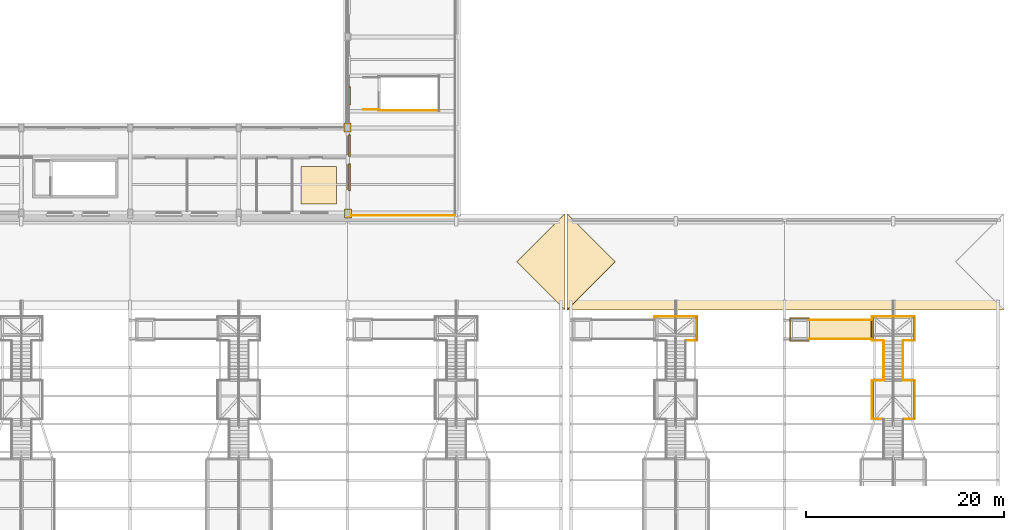
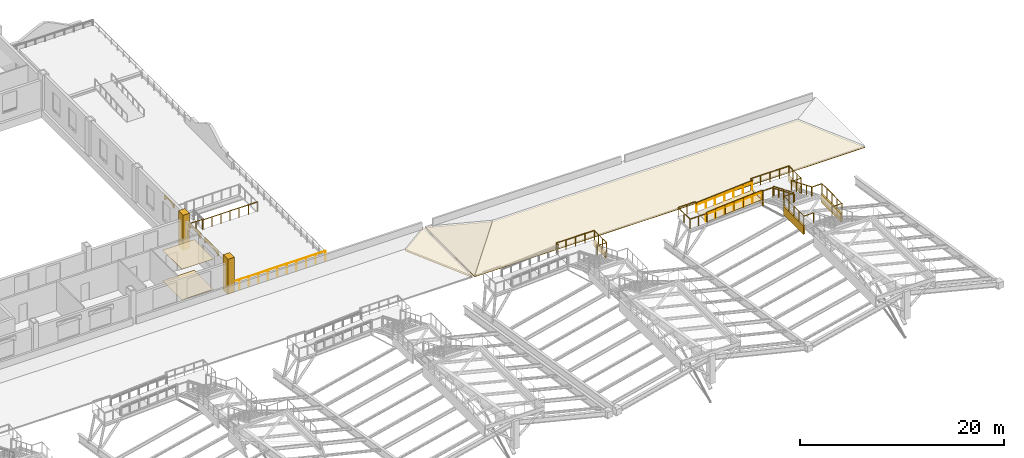
# One storey, part 39 of 43: 16 coverings, 16 railings.
"""IFC4 building model written with IfcOpenShell, lengths in metres."""

from ifc_helpers import new_model, si_unit, direction, frame, frame_2d, origin, origin_2d, place, context, subcontext, project, spatial, polyline, rectangle, circle, outline, extrude, material, layer, layer_set, type_object, element, save


model = new_model("IFC4")

# Units and contexts
model_context = context("Model", 3, precision=1e-05, world=origin(), true_north=direction((0.0, 1.0)))
body_context = subcontext(model_context, "Body", "Model", "MODEL_VIEW")
ifc_project = project(units=[si_unit("LENGTHUNIT", "METRE"), si_unit("AREAUNIT", "SQUARE_METRE"), si_unit("VOLUMEUNIT", "CUBIC_METRE"), si_unit("PLANEANGLEUNIT", "RADIAN"), si_unit("MASSUNIT", "GRAM", prefix="KILO")], contexts=[model_context])

# Site, building, storey
site_placement = place(None, origin())
site = spatial("IfcSite", under=ifc_project, at=site_placement, CompositionType="ELEMENT")
building_placement = place(site_placement, origin())
building = spatial("IfcBuilding", under=site, at=building_placement, Name="Caurita Quay Ferry Terminal", CompositionType="ELEMENT")
storey_placement = place(building_placement, frame((0.0, 0.0, 14.10009765625)))
storey = spatial("IfcBuildingStorey", under=building, at=storey_placement, Name="L03", CompositionType="ELEMENT", Elevation=14.10009765625)

# Coverings
ifc_material_1 = material(Name="Warm-white lime stucco masonry", Category="masonry")
ifc_layer_1 = layer(ifc_material_1, 0.360107421875, Name="Spanish Colonial semicircular lime-stucco portales arcade 360 mm")
ifc_layer_set_1 = layer_set([ifc_layer_1], Name="Warm-white lime stucco masonry")
covering_type_1 = type_object("IfcCoveringType", Name="COV-ARC-CLD", PredefinedType="CLADDING", material=ifc_layer_set_1)
covering_1_placement = place(storey_placement, frame((101.320068359375, 58.699951171875, -0.550048828125), z_axis=(0.0, 0.0, 1.0), x_axis=(0.0, 1.0, 0.0)))
element("IfcCovering", 1, at=covering_1_placement, inside=storey, type_object=covering_type_1, Name="Folded Roof Bay 5 Lookout Stucco Skirt 07", PredefinedType="CLADDING", context=body_context, shape_type="SweptSolid", body=[
    extrude(rectangle(XDim=2.400146484375, YDim=0.179931640625, at=frame_2d((1.2001953125, 0.0))), origin(), (0.0, 0.0, 1.0), 0.6298828125),
])
for number, where, z_axis, x_axis, name in (
    (2, (119.080078125, 54.64990234375, 0.849853515625), (0.0, 0.0, 1.0), (0.0, -1.0, 0.0), "Folded Roof Bay 6 Lookout Stucco Skirt 04"),
    (3, (123.320068359375, 50.72998046875, 0.849853515625), (0.0, 0.0, 1.0), (0.0, 1.0, 0.0), "Folded Roof Bay 6 Lookout Stucco Skirt 05"),
):
    element("IfcCovering", number, at=place(storey_placement, frame(where, z_axis=z_axis, x_axis=x_axis)), inside=storey, type_object=covering_type_1, Name=name, PredefinedType="CLADDING", context=body_context, shape_type="SweptSolid", body=[
        extrude(rectangle(XDim=3.919921875, YDim=0.179931640625, at=frame_2d((1.9599609375, 0.0))), origin(), (0.0, 0.0, 1.0), 1.030029296875),
    ])
for number, where, z_axis, x_axis, name in (
    (4, (119.080078125, 61.10009765625, -0.550048828125), (0.0, 0.0, 1.0), (0.0, -1.0, 0.0), "Folded Roof Bay 6 Lookout Stucco Skirt 06"),
    (5, (123.320068359375, 58.699951171875, -0.550048828125), (0.0, 0.0, 1.0), (0.0, 1.0, 0.0), "Folded Roof Bay 6 Lookout Stucco Skirt 07"),
):
    element("IfcCovering", number, at=place(storey_placement, frame(where, z_axis=z_axis, x_axis=x_axis)), inside=storey, type_object=covering_type_1, Name=name, PredefinedType="CLADDING", context=body_context, shape_type="SweptSolid", body=[
        extrude(rectangle(XDim=2.400146484375, YDim=0.179931640625, at=frame_2d((1.2001953125, 0.0))), origin(), (0.0, 0.0, 1.0), 0.6298828125),
    ])
ifc_material_2 = material(Name="Acoustic mineral fibre tile", Category="finish")
ifc_layer_2 = layer(ifc_material_2, 0.02001953125, Name="Acoustic mineral-fibre suspended ceiling 20 mm")
ifc_layer_set_2 = layer_set([ifc_layer_2], Name="Acoustic mineral fibre tile")
covering_type_2 = type_object("IfcCoveringType", Name="COV-CEIL-020", PredefinedType="CEILING", material=ifc_layer_set_2)
covering_2_placement = place(storey_placement, frame((0.0, 0.0, 3.66455078125)))
element("IfcCovering", 6, at=covering_2_placement, inside=storey, type_object=covering_type_2, Name="Harbour Master Cleaners Store L03 Acoustic Ceiling", PredefinedType="CEILING", context=body_context, shape_type="SweptSolid", body=[
    extrude(outline(polyline([(61.300048828125, 72.5), (64.89990234375, 72.5), (64.89990234375, 76.300048828125), (61.300048828125, 76.300048828125), (61.300048828125, 72.5)])), origin(), (0.0, 0.0, 1.0), 0.02001953125),
])
ifc_material_3 = material(Name="Polished marine terrazzo tile", Category="finish")
ifc_layer_3 = layer(ifc_material_3, 0.02490234375, Name="Polished marine terrazzo floor finish 25 mm")
ifc_layer_set_3 = layer_set([ifc_layer_3], Name="Polished marine terrazzo tile")
covering_type_3 = type_object("IfcCoveringType", Name="COV-FLR-025", PredefinedType="FLOORING", material=ifc_layer_set_3)
covering_3_placement = place(storey_placement, frame((112.72998046875, 58.840087890625, -0.35009765625), z_axis=(-0.071920937813, 0.0, 0.997410336173), x_axis=(0.997410336173, 0.0, 0.071920937813)))
element("IfcCovering", 7, at=covering_3_placement, inside=storey, type_object=covering_type_3, Name="Folded Roof Bay 6 Accessible Ramp Terrazzo Deck", PredefinedType="FLOORING", context=body_context, shape_type="SweptSolid", body=[
    extrude(outline(polyline([(0.0, 0.0), (6.256191667633518, 0.0), (6.256191667633518, 1.9199218750000004), (0.0, 1.9199218750000004), (0.0, 0.0)])), origin(), (0.0, 0.0, -1.0), 0.06005859375),
])
covering_4_placement = place(storey_placement, origin())
element("IfcCovering", 8, at=covering_4_placement, inside=storey, type_object=covering_type_3, Name="Harbour Master Cleaners Store L03 Terrazzo Flooring", PredefinedType="FLOORING", context=body_context, shape_type="SweptSolid", body=[
    extrude(outline(polyline([(61.300048828125, 72.5), (64.89990234375, 72.5), (64.89990234375, 76.300048828125), (61.300048828125, 76.300048828125), (61.300048828125, 72.5)])), origin(), (0.0, 0.0, 1.0), 0.02490234375),
])
ifc_layer_4 = layer(ifc_material_1, 0.179931640625, Name="Classical engaged lime-stucco facade pilaster cladding 180 mm")
ifc_layer_set_4 = layer_set([ifc_layer_4], Name="Warm-white lime stucco masonry")
covering_type_4 = type_object("IfcCoveringType", Name="COV-PIL-CLD", PredefinedType="CLADDING", material=ifc_layer_set_4)
for number, where, z_axis, x_axis, name in (
    (9, (66.050048828125, 71.550048828125, 0.0), (0.0, 0.0, 1.0), (1.0, 0.0, 0.0), "L03 Classical Engaged Pilaster 0371"),
    (10, (66.0, 80.25, 0.0), (0.0, 0.0, 1.0), (1.0, 0.0, 0.0), "L03 Classical Engaged Pilaster 0373"),
):
    element("IfcCovering", number, at=place(storey_placement, frame(where, z_axis=z_axis, x_axis=x_axis)), inside=storey, type_object=covering_type_4, Name=name, PredefinedType="CLADDING", context=body_context, shape_type="SweptSolid", body=[
        extrude(rectangle(XDim=0.72998046875, YDim=0.929931640625, at=origin_2d()), origin(), (0.0, 0.0, 1.0), 4.199951171875),
    ])
ifc_material_4 = material(Name="Terracotta clay barrel tile", Category="masonry")
ifc_layer_5 = layer(ifc_material_4, 0.06494140625, Name="Terracotta clay barrel-tile roofing course")
ifc_layer_set_5 = layer_set([ifc_layer_5], Name="Terracotta clay barrel tile")
covering_type_5 = type_object("IfcCoveringType", Name="COV-TEJA-ROOF", PredefinedType="ROOFING", material=ifc_layer_set_5)
covering_5_placement = place(storey_placement, frame((88.0, 61.800048828125, -0.14013671875), z_axis=(0.377954065566, 0.0, 0.925824348525), x_axis=(0.0, 1.0, 0.0)))
element("IfcCovering", 11, at=covering_5_placement, inside=storey, type_object=covering_type_5, Name="Terracotta Roof Timber Decking V1-SPN-E", PredefinedType="ROOFING", context=body_context, shape_type="SweptSolid", body=[
    extrude(outline(polyline([(0.0, 0.0), (9.699951171875, 0.0), (4.849853515625, 5.238680170786647), (0.0, 0.0)])), origin(), (0.0, 0.0, -1.0), 0.054931640625),
])
covering_6_placement = place(storey_placement, frame((88.199951171875, 61.800048828125, -0.14013671875), z_axis=(0.0, -0.377970373651, 0.925817690824), x_axis=(1.0, 0.0, 0.0)))
element("IfcCovering", 12, at=covering_6_placement, inside=storey, type_object=covering_type_5, Name="Terracotta Roof Timber Decking V2-SPN-S", PredefinedType="ROOFING", context=body_context, shape_type="SweptSolid", body=[
    extrude(outline(polyline([(0.0, 0.0), (44.199951171875, 0.0), (39.35009765625, 5.238454140264247), (4.85009765625, 5.238454140264247), (0.0, 0.0)])), origin(), (0.0, 0.0, -1.0), 0.054931640625),
])
covering_7_placement = place(storey_placement, frame((88.199951171875, 71.5, -0.14013671875), z_axis=(-0.377954065566, 0.0, 0.925824348525), x_axis=(0.0, -1.0, 0.0)))
element("IfcCovering", 13, at=covering_7_placement, inside=storey, type_object=covering_type_5, Name="Terracotta Roof Timber Decking V2-SPN-W", PredefinedType="ROOFING", context=body_context, shape_type="SweptSolid", body=[
    extrude(outline(polyline([(0.0, 0.0), (9.699951171875, 0.0), (4.85009765625, 5.238680170786647), (0.0, 0.0)])), origin(), (0.0, 0.0, -1.0), 0.054931640625),
])
ifc_material_5 = material(Name="Coral stone ashlar cladding", Category="masonry")
ifc_layer_6 = layer(ifc_material_5, 0.139892578125, Name="Spanish Colonial semicircular arched window surround 140 mm")
ifc_layer_set_6 = layer_set([ifc_layer_6], Name="Coral stone ashlar cladding")
covering_type_6 = type_object("IfcCoveringType", Name="COV-WHD-MLD", PredefinedType="MOLDING", material=ifc_layer_set_6)
covering_8_placement = place(storey_placement, frame((66.199951171875, 73.820068359375, 2.72998046875), z_axis=(0.0, 0.0, 1.0), x_axis=(0.0, 1.0, 0.0)))
element("IfcCovering", 14, at=covering_8_placement, inside=storey, type_object=covering_type_6, Name="L03 Arched Window Surround 095", PredefinedType="MOLDING", context=body_context, shape_type="SweptSolid", body=[
    extrude(outline(polyline([(0.0, 0.0), (0.159912109375, 0.0), (0.159912109375, 0.0400390625), (0.2197265625, 0.1728515625), (0.39306640625, 0.292724609375), (0.662841796875, 0.387939453125), (1.0029296875, 0.448974609375), (1.380126953125, 0.469970703125), (1.757080078125, 0.448974609375), (2.09716796875, 0.387939453125), (2.366943359375, 0.292724609375), (2.540283203125, 0.1728515625), (2.60009765625, 0.0400390625), (2.60009765625, 0.0), (2.760009765625, 0.0), (2.760009765625, 0.5498046875), (0.0, 0.5498046875), (0.0, 0.0)])), frame((0.0, 0.06982421875, 0.0), z_axis=(0.0, -1.0, 0.0), x_axis=(1.0, 0.0, 0.0)), (0.0, 0.0, 1.0), 0.139892578125),
])
covering_9_placement = place(storey_placement, frame((66.199951171875, 77.320068359375, 2.72998046875), z_axis=(0.0, 0.0, 1.0), x_axis=(0.0, 1.0, 0.0)))
element("IfcCovering", 15, at=covering_9_placement, inside=storey, type_object=covering_type_6, Name="L03 Arched Window Surround 096", PredefinedType="MOLDING", context=body_context, shape_type="SweptSolid", body=[
    extrude(outline(polyline([(0.0, 0.0), (0.159912109375, 0.0), (0.159912109375, 0.0400390625), (0.205078125, 0.1728515625), (0.335693359375, 0.292724609375), (0.539306640625, 0.387939453125), (0.795654296875, 0.448974609375), (1.080078125, 0.469970703125), (1.3642578125, 0.448974609375), (1.62060546875, 0.387939453125), (1.82421875, 0.292724609375), (1.954833984375, 0.1728515625), (2.0, 0.0400390625), (2.0, 0.0), (2.159912109375, 0.0), (2.159912109375, 0.5498046875), (0.0, 0.5498046875), (0.0, 0.0)])), frame((0.0, 0.06982421875, 0.0), z_axis=(0.0, -1.0, 0.0), x_axis=(1.0, 0.0, 0.0)), (0.0, 0.0, 1.0), 0.139892578125),
])
covering_10_placement = place(storey_placement, frame((66.215087890625, 82.52001953125, 3.179931640625), z_axis=(0.0, 0.0, 1.0), x_axis=(0.0, 1.0, 0.0)))
element("IfcCovering", 16, at=covering_10_placement, inside=storey, type_object=covering_type_6, Name="L03 Arched Window Surround 117", PredefinedType="MOLDING", context=body_context, shape_type="SweptSolid", body=[
    extrude(outline(polyline([(0.0, 0.0), (0.159912109375, 0.0), (0.159912109375, 0.0400390625), (0.19775390625, 0.1513671875), (0.30712890625, 0.251708984375), (0.477294921875, 0.331298828125), (0.69189453125, 0.38232421875), (0.929931640625, 0.39990234375), (1.16796875, 0.38232421875), (1.382568359375, 0.331298828125), (1.552734375, 0.251708984375), (1.662109375, 0.1513671875), (1.699951171875, 0.0400390625), (1.699951171875, 0.0), (1.85986328125, 0.0), (1.85986328125, 0.47998046875), (0.0, 0.47998046875), (0.0, 0.0)])), frame((0.0, 0.06982421875, 0.0), z_axis=(0.0, -1.0, 0.0), x_axis=(1.0, 0.0, 0.0)), (0.0, 0.0, 1.0), 0.139892578125),
])

# Railings
ifc_material_6 = material(Name="Bronze architectural metalwork", Category="metal")
railing_type_1 = type_object("IfcRailingType", Name="RL-HND-090", PredefinedType="HANDRAIL", material=ifc_material_6)
railing_1_placement = place(storey_placement, frame((120.260009765625, 58.64990234375, 0.25)))
element("IfcRailing", 17, at=railing_1_placement, inside=storey, type_object=railing_type_1, Name="Waterside Peak Lookout 6 Handrail 1", PredefinedType="HANDRAIL", context=body_context, shape_type="SweptSolid", body=[
    extrude(circle(Radius=0.02392578125, at=origin_2d()), frame((0.0, 0.0, 0.8759765625), z_axis=(0.0, -0.923083657872, 0.384599220709), x_axis=(1.0, 0.0, 0.0)), (0.0, 0.0, 1.0), 4.2900390625),
    extrude(circle(Radius=0.02099609375, at=origin_2d()), origin(), (0.0, 0.0, 1.0), 0.851806640625),
    extrude(circle(Radius=0.02099609375, at=origin_2d()), frame((0.0, -0.989990234375, 0.41259765625)), (0.0, 0.0, 1.0), 0.851806640625),
    extrude(circle(Radius=0.02099609375, at=origin_2d()), frame((0.0, -1.97998046875, 0.824951171875)), (0.0, 0.0, 1.0), 0.851806640625),
    extrude(circle(Radius=0.02099609375, at=origin_2d()), frame((0.0, -2.969970703125, 1.2373046875)), (0.0, 0.0, 1.0), 0.851806640625),
    extrude(circle(Radius=0.02099609375, at=origin_2d()), frame((0.0, -3.9599609375, 1.64990234375)), (0.0, 0.0, 1.0), 0.851806640625),
])
for number, where, name in (
    (18, (112.699951171875, 58.860107421875, -0.35009765625), "Folded Roof Bay 6 Accessible Lookout Ramp Handrail 1"),
    (19, (112.699951171875, 60.739990234375, -0.35009765625), "Folded Roof Bay 6 Accessible Lookout Ramp Handrail 2"),
):
    element("IfcRailing", number, at=place(storey_placement, frame(where)), inside=storey, type_object=railing_type_1, Name=name, PredefinedType="HANDRAIL", context=body_context, shape_type="SweptSolid", body=[
        extrude(circle(Radius=0.02392578125, at=origin_2d()), frame((0.0, 0.0, 0.8759765625), z_axis=(0.997459288432, 0.0, 0.07123880909), x_axis=(0.0, 1.0, 0.0)), (0.0, 0.0, 1.0), 6.316162109375),
        extrude(circle(Radius=0.02099609375, at=origin_2d()), origin(), (0.0, 0.0, 1.0), 0.851806640625),
        extrude(circle(Radius=0.02099609375, at=origin_2d()), frame((1.050048828125, 0.0, 0.074951171875)), (0.0, 0.0, 1.0), 0.851806640625),
        extrude(circle(Radius=0.02099609375, at=origin_2d()), frame((2.10009765625, 0.0, 0.14990234375)), (0.0, 0.0, 1.0), 0.851806640625),
        extrude(circle(Radius=0.02099609375, at=origin_2d()), frame((3.14990234375, 0.0, 0.22509765625)), (0.0, 0.0, 1.0), 0.851806640625),
        extrude(circle(Radius=0.02099609375, at=origin_2d()), frame((4.199951171875, 0.0, 0.300048828125)), (0.0, 0.0, 1.0), 0.851806640625),
        extrude(circle(Radius=0.02099609375, at=origin_2d()), frame((5.25, 0.0, 0.375)), (0.0, 0.0, 1.0), 0.851806640625),
        extrude(circle(Radius=0.02099609375, at=origin_2d()), frame((6.300048828125, 0.0, 0.449951171875)), (0.0, 0.0, 1.0), 0.851806640625),
    ])
railing_type_2 = type_object("IfcRailingType", Name="RL-REJA-115", PredefinedType="BALUSTRADE", material=ifc_material_6)
railing_2_placement = place(storey_placement, frame((66.050048828125, 71.35009765625, 0.0)))
element("IfcRailing", 20, at=railing_2_placement, inside=storey, type_object=railing_type_2, Name="L03 Harbour Master Terrace Balustrade (068)", PredefinedType="BALUSTRADE", context=body_context, shape_type="SweptSolid", body=[
    extrude(circle(Radius=0.02392578125, at=origin_2d()), frame((0.0, 0.0, 1.1259765625), z_axis=(1.0, 0.0, 0.0), x_axis=(0.0, 1.0, 0.0)), (0.0, 0.0, 1.0), 10.800048828125),
    extrude(circle(Radius=0.02099609375, at=origin_2d()), origin(), (0.0, 0.0, 1.0), 1.101806640625),
    extrude(circle(Radius=0.02099609375, at=origin_2d()), frame((1.080078125, 0.0, 0.0)), (0.0, 0.0, 1.0), 1.101806640625),
    extrude(circle(Radius=0.02099609375, at=origin_2d()), frame((2.159912109375, 0.0, 0.0)), (0.0, 0.0, 1.0), 1.101806640625),
    extrude(circle(Radius=0.02099609375, at=origin_2d()), frame((3.239990234375, 0.0, 0.0)), (0.0, 0.0, 1.0), 1.101806640625),
    extrude(circle(Radius=0.02099609375, at=origin_2d()), frame((4.320068359375, 0.0, 0.0)), (0.0, 0.0, 1.0), 1.101806640625),
    extrude(circle(Radius=0.02099609375, at=origin_2d()), frame((5.39990234375, 0.0, 0.0)), (0.0, 0.0, 1.0), 1.101806640625),
    extrude(circle(Radius=0.02099609375, at=origin_2d()), frame((6.47998046875, 0.0, 0.0)), (0.0, 0.0, 1.0), 1.101806640625),
    extrude(circle(Radius=0.02099609375, at=origin_2d()), frame((7.56005859375, 0.0, 0.0)), (0.0, 0.0, 1.0), 1.101806640625),
    extrude(circle(Radius=0.02099609375, at=origin_2d()), frame((8.64013671875, 0.0, 0.0)), (0.0, 0.0, 1.0), 1.101806640625),
    extrude(circle(Radius=0.02099609375, at=origin_2d()), frame((9.719970703125, 0.0, 0.0)), (0.0, 0.0, 1.0), 1.101806640625),
    extrude(circle(Radius=0.02099609375, at=origin_2d()), frame((10.800048828125, 0.0, 0.0)), (0.0, 0.0, 1.0), 1.101806640625),
])
railing_3_placement = place(storey_placement, frame((69.10009765625, 81.949951171875, 0.0)))
element("IfcRailing", 21, at=railing_3_placement, inside=storey, type_object=railing_type_2, Name="L03 ST-14 top well guard 2", PredefinedType="BALUSTRADE", context=body_context, shape_type="SweptSolid", body=[
    extrude(circle(Radius=0.02392578125, at=origin_2d()), frame((0.0, 0.0, 1.1259765625), z_axis=(1.0, 0.0, 0.0), x_axis=(0.0, 1.0, 0.0)), (0.0, 0.0, 1.0), 6.199951171875),
    extrude(circle(Radius=0.02099609375, at=origin_2d()), origin(), (0.0, 0.0, 1.0), 1.101806640625),
    extrude(circle(Radius=0.02099609375, at=origin_2d()), frame((1.033203125, 0.0, 0.0)), (0.0, 0.0, 1.0), 1.101806640625),
    extrude(circle(Radius=0.02099609375, at=origin_2d()), frame((2.066650390625, 0.0, 0.0)), (0.0, 0.0, 1.0), 1.101806640625),
    extrude(circle(Radius=0.02099609375, at=origin_2d()), frame((3.10009765625, 0.0, 0.0)), (0.0, 0.0, 1.0), 1.101806640625),
    extrude(circle(Radius=0.02099609375, at=origin_2d()), frame((4.13330078125, 0.0, 0.0)), (0.0, 0.0, 1.0), 1.101806640625),
    extrude(circle(Radius=0.02099609375, at=origin_2d()), frame((5.16650390625, 0.0, 0.0)), (0.0, 0.0, 1.0), 1.101806640625),
    extrude(circle(Radius=0.02099609375, at=origin_2d()), frame((6.199951171875, 0.0, 0.0)), (0.0, 0.0, 1.0), 1.101806640625),
])
railing_4_placement = place(storey_placement, frame((67.60009765625, 82.050048828125, 0.0)))
element("IfcRailing", 22, at=railing_4_placement, inside=storey, type_object=railing_type_2, Name="L03 ST-14 top well guard 5", PredefinedType="BALUSTRADE", context=body_context, shape_type="SweptSolid", body=[
    extrude(circle(Radius=0.02392578125, at=origin_2d()), frame((0.0, 0.0, 1.1259765625), z_axis=(1.0, 0.0, 0.0), x_axis=(0.0, 1.0, 0.0)), (0.0, 0.0, 1.0), 1.599853515625),
    extrude(circle(Radius=0.02099609375, at=origin_2d()), origin(), (0.0, 0.0, 1.0), 1.101806640625),
    extrude(circle(Radius=0.02099609375, at=origin_2d()), frame((0.7998046875, 0.0, 0.0)), (0.0, 0.0, 1.0), 1.101806640625),
    extrude(circle(Radius=0.02099609375, at=origin_2d()), frame((1.599853515625, 0.0, 0.0)), (0.0, 0.0, 1.0), 1.101806640625),
])
railing_5_placement = place(storey_placement, frame((97.050048828125, 60.800048828125, 0.099853515625)))
element("IfcRailing", 23, at=railing_5_placement, inside=storey, type_object=railing_type_2, Name="Waterside Peak Lookout 5 Guardrail 2", PredefinedType="BALUSTRADE", context=body_context, shape_type="SweptSolid", body=[
    extrude(circle(Radius=0.02392578125, at=origin_2d()), frame((0.0, 0.0, 1.1259765625), z_axis=(0.0, 1.0, 0.0), x_axis=(-1.0, 0.0, 0.0)), (0.0, 0.0, 1.0), 0.300048828125),
    extrude(circle(Radius=0.02392578125, at=origin_2d()), frame((0.0, 0.300048828125, 1.1259765625), z_axis=(1.0, 0.0, 0.0), x_axis=(0.0, 1.0, 0.0)), (0.0, 0.0, 1.0), 4.300048828125),
    extrude(circle(Radius=0.02392578125, at=origin_2d()), frame((4.300048828125, 0.300048828125, 1.1259765625), z_axis=(0.0, -1.0, 0.0), x_axis=(1.0, 0.0, 0.0)), (0.0, 0.0, 1.0), 2.400146484375),
    extrude(circle(Radius=0.02392578125, at=origin_2d()), frame((4.300048828125, -2.10009765625, 1.1259765625), z_axis=(-1.0, 0.0, 0.0), x_axis=(0.0, -1.0, 0.0)), (0.0, 0.0, 1.0), 1.10009765625),
    extrude(circle(Radius=0.02099609375, at=origin_2d()), origin(), (0.0, 0.0, 1.0), 1.101806640625),
    extrude(circle(Radius=0.02099609375, at=origin_2d()), frame((0.0, 0.300048828125, 0.0)), (0.0, 0.0, 1.0), 1.101806640625),
    extrude(circle(Radius=0.02099609375, at=origin_2d()), frame((1.074951171875, 0.300048828125, 0.0)), (0.0, 0.0, 1.0), 1.101806640625),
    extrude(circle(Radius=0.02099609375, at=origin_2d()), frame((2.14990234375, 0.300048828125, 0.0)), (0.0, 0.0, 1.0), 1.101806640625),
    extrude(circle(Radius=0.02099609375, at=origin_2d()), frame((3.22509765625, 0.300048828125, 0.0)), (0.0, 0.0, 1.0), 1.101806640625),
    extrude(circle(Radius=0.02099609375, at=origin_2d()), frame((4.300048828125, 0.300048828125, 0.0)), (0.0, 0.0, 1.0), 1.101806640625),
    extrude(circle(Radius=0.02099609375, at=origin_2d()), frame((4.300048828125, -0.5, 0.0)), (0.0, 0.0, 1.0), 1.101806640625),
    extrude(circle(Radius=0.02099609375, at=origin_2d()), frame((4.300048828125, -1.300048828125, 0.0)), (0.0, 0.0, 1.0), 1.101806640625),
    extrude(circle(Radius=0.02099609375, at=origin_2d()), frame((4.300048828125, -2.10009765625, 0.0)), (0.0, 0.0, 1.0), 1.101806640625),
    extrude(circle(Radius=0.02099609375, at=origin_2d()), frame((3.199951171875, -2.10009765625, 0.0)), (0.0, 0.0, 1.0), 1.101806640625),
])
railing_6_placement = place(storey_placement, frame((120.14990234375, 58.699951171875, 0.099853515625)))
element("IfcRailing", 24, at=railing_6_placement, inside=storey, type_object=railing_type_2, Name="Waterside Peak Lookout 6 Guardrail 1", PredefinedType="BALUSTRADE", context=body_context, shape_type="SweptSolid", body=[
    extrude(circle(Radius=0.02392578125, at=origin_2d()), frame((0.0, 0.0, 1.1259765625), z_axis=(-1.0, 0.0, 0.0), x_axis=(0.0, -1.0, 0.0)), (0.0, 0.0, 1.0), 1.099853515625),
    extrude(circle(Radius=0.02392578125, at=origin_2d()), frame((-1.099853515625, 0.0, 1.1259765625), z_axis=(0.0, 1.0, 0.0), x_axis=(-1.0, 0.0, 0.0)), (0.0, 0.0, 1.0), 0.10009765625),
    extrude(circle(Radius=0.02099609375, at=origin_2d()), origin(), (0.0, 0.0, 1.0), 1.101806640625),
    extrude(circle(Radius=0.02099609375, at=origin_2d()), frame((-1.099853515625, 0.0, 0.0)), (0.0, 0.0, 1.0), 1.101806640625),
    extrude(circle(Radius=0.02099609375, at=origin_2d()), frame((-1.099853515625, 0.10009765625, 0.0)), (0.0, 0.0, 1.0), 1.101806640625),
])
railing_7_placement = place(storey_placement, frame((119.050048828125, 60.800048828125, 0.099853515625)))
element("IfcRailing", 25, at=railing_7_placement, inside=storey, type_object=railing_type_2, Name="Waterside Peak Lookout 6 Guardrail 2", PredefinedType="BALUSTRADE", context=body_context, shape_type="SweptSolid", body=[
    extrude(circle(Radius=0.02392578125, at=origin_2d()), frame((0.0, 0.0, 1.1259765625), z_axis=(0.0, 1.0, 0.0), x_axis=(-1.0, 0.0, 0.0)), (0.0, 0.0, 1.0), 0.300048828125),
    extrude(circle(Radius=0.02392578125, at=origin_2d()), frame((0.0, 0.300048828125, 1.1259765625), z_axis=(1.0, 0.0, 0.0), x_axis=(0.0, 1.0, 0.0)), (0.0, 0.0, 1.0), 4.300048828125),
    extrude(circle(Radius=0.02392578125, at=origin_2d()), frame((4.300048828125, 0.300048828125, 1.1259765625), z_axis=(0.0, -1.0, 0.0), x_axis=(1.0, 0.0, 0.0)), (0.0, 0.0, 1.0), 2.400146484375),
    extrude(circle(Radius=0.02392578125, at=origin_2d()), frame((4.300048828125, -2.10009765625, 1.1259765625), z_axis=(-1.0, 0.0, 0.0), x_axis=(0.0, -1.0, 0.0)), (0.0, 0.0, 1.0), 1.10009765625),
    extrude(circle(Radius=0.02099609375, at=origin_2d()), origin(), (0.0, 0.0, 1.0), 1.101806640625),
    extrude(circle(Radius=0.02099609375, at=origin_2d()), frame((0.0, 0.300048828125, 0.0)), (0.0, 0.0, 1.0), 1.101806640625),
    extrude(circle(Radius=0.02099609375, at=origin_2d()), frame((1.074951171875, 0.300048828125, 0.0)), (0.0, 0.0, 1.0), 1.101806640625),
    extrude(circle(Radius=0.02099609375, at=origin_2d()), frame((2.14990234375, 0.300048828125, 0.0)), (0.0, 0.0, 1.0), 1.101806640625),
    extrude(circle(Radius=0.02099609375, at=origin_2d()), frame((3.22509765625, 0.300048828125, 0.0)), (0.0, 0.0, 1.0), 1.101806640625),
    extrude(circle(Radius=0.02099609375, at=origin_2d()), frame((4.300048828125, 0.300048828125, 0.0)), (0.0, 0.0, 1.0), 1.101806640625),
    extrude(circle(Radius=0.02099609375, at=origin_2d()), frame((4.300048828125, -0.5, 0.0)), (0.0, 0.0, 1.0), 1.101806640625),
    extrude(circle(Radius=0.02099609375, at=origin_2d()), frame((4.300048828125, -1.300048828125, 0.0)), (0.0, 0.0, 1.0), 1.101806640625),
    extrude(circle(Radius=0.02099609375, at=origin_2d()), frame((4.300048828125, -2.10009765625, 0.0)), (0.0, 0.0, 1.0), 1.101806640625),
    extrude(circle(Radius=0.02099609375, at=origin_2d()), frame((3.199951171875, -2.10009765625, 0.0)), (0.0, 0.0, 1.0), 1.101806640625),
])
for number, where, name in (
    (26, (120.199951171875, 58.64990234375, 0.25), "Waterside Peak Lookout 6 Guardrail 3"),
    (27, (122.199951171875, 58.64990234375, 0.25), "Waterside Peak Lookout 6 Guardrail 4"),
):
    element("IfcRailing", number, at=place(storey_placement, frame(where)), inside=storey, type_object=railing_type_2, Name=name, PredefinedType="BALUSTRADE", context=body_context, shape_type="SweptSolid", body=[
        extrude(circle(Radius=0.02392578125, at=origin_2d()), frame((0.0, 0.0, 1.1259765625), z_axis=(0.0, -0.923083657872, 0.384599220709), x_axis=(1.0, 0.0, 0.0)), (0.0, 0.0, 1.0), 4.2900390625),
        extrude(circle(Radius=0.02099609375, at=origin_2d()), origin(), (0.0, 0.0, 1.0), 1.101806640625),
        extrude(circle(Radius=0.02099609375, at=origin_2d()), frame((0.0, -0.989990234375, 0.41259765625)), (0.0, 0.0, 1.0), 1.101806640625),
        extrude(circle(Radius=0.02099609375, at=origin_2d()), frame((0.0, -1.97998046875, 0.824951171875)), (0.0, 0.0, 1.0), 1.101806640625),
        extrude(circle(Radius=0.02099609375, at=origin_2d()), frame((0.0, -2.969970703125, 1.2373046875)), (0.0, 0.0, 1.0), 1.101806640625),
        extrude(circle(Radius=0.02099609375, at=origin_2d()), frame((0.0, -3.9599609375, 1.64990234375)), (0.0, 0.0, 1.0), 1.101806640625),
    ])
railing_8_placement = place(storey_placement, frame((120.14990234375, 54.639892578125, 1.89990234375)))
element("IfcRailing", 28, at=railing_8_placement, inside=storey, type_object=railing_type_2, Name="Waterside Peak Lookout 6 Guardrail 5", PredefinedType="BALUSTRADE", context=body_context, shape_type="SweptSolid", body=[
    extrude(circle(Radius=0.02392578125, at=origin_2d()), frame((0.0, 0.0, 1.1259765625), z_axis=(-1.0, 0.0, 0.0), x_axis=(0.0, -1.0, 0.0)), (0.0, 0.0, 1.0), 1.099853515625),
    extrude(circle(Radius=0.02392578125, at=origin_2d()), frame((-1.099853515625, 0.0, 1.1259765625), z_axis=(0.0, -1.0, 0.0), x_axis=(1.0, 0.0, 0.0)), (0.0, 0.0, 1.0), 3.89990234375),
    extrude(circle(Radius=0.02392578125, at=origin_2d()), frame((-1.099853515625, -3.89990234375, 1.1259765625), z_axis=(1.0, 0.0, 0.0), x_axis=(0.0, 1.0, 0.0)), (0.0, 0.0, 1.0), 1.099853515625),
    extrude(circle(Radius=0.02099609375, at=origin_2d()), origin(), (0.0, 0.0, 1.0), 1.101806640625),
    extrude(circle(Radius=0.02099609375, at=origin_2d()), frame((-1.099853515625, 0.0, 0.0)), (0.0, 0.0, 1.0), 1.101806640625),
    extrude(circle(Radius=0.02099609375, at=origin_2d()), frame((-1.099853515625, -0.97509765625, 0.0)), (0.0, 0.0, 1.0), 1.101806640625),
    extrude(circle(Radius=0.02099609375, at=origin_2d()), frame((-1.099853515625, -1.949951171875, 0.0)), (0.0, 0.0, 1.0), 1.101806640625),
    extrude(circle(Radius=0.02099609375, at=origin_2d()), frame((-1.099853515625, -2.9248046875, 0.0)), (0.0, 0.0, 1.0), 1.101806640625),
    extrude(circle(Radius=0.02099609375, at=origin_2d()), frame((-1.099853515625, -3.89990234375, 0.0)), (0.0, 0.0, 1.0), 1.101806640625),
    extrude(circle(Radius=0.02099609375, at=origin_2d()), frame((0.0, -3.89990234375, 0.0)), (0.0, 0.0, 1.0), 1.101806640625),
])
railing_9_placement = place(storey_placement, frame((122.25, 54.639892578125, 1.89990234375)))
element("IfcRailing", 29, at=railing_9_placement, inside=storey, type_object=railing_type_2, Name="Waterside Peak Lookout 6 Guardrail 6", PredefinedType="BALUSTRADE", context=body_context, shape_type="SweptSolid", body=[
    extrude(circle(Radius=0.02392578125, at=origin_2d()), frame((0.0, 0.0, 1.1259765625), z_axis=(1.0, 0.0, 0.0), x_axis=(0.0, 1.0, 0.0)), (0.0, 0.0, 1.0), 1.10009765625),
    extrude(circle(Radius=0.02392578125, at=origin_2d()), frame((1.10009765625, 0.0, 1.1259765625), z_axis=(0.0, -1.0, 0.0), x_axis=(1.0, 0.0, 0.0)), (0.0, 0.0, 1.0), 3.89990234375),
    extrude(circle(Radius=0.02392578125, at=origin_2d()), frame((1.10009765625, -3.89990234375, 1.1259765625), z_axis=(-1.0, 0.0, 0.0), x_axis=(0.0, -1.0, 0.0)), (0.0, 0.0, 1.0), 1.10009765625),
    extrude(circle(Radius=0.02099609375, at=origin_2d()), origin(), (0.0, 0.0, 1.0), 1.101806640625),
    extrude(circle(Radius=0.02099609375, at=origin_2d()), frame((1.10009765625, 0.0, 0.0)), (0.0, 0.0, 1.0), 1.101806640625),
    extrude(circle(Radius=0.02099609375, at=origin_2d()), frame((1.10009765625, -0.97509765625, 0.0)), (0.0, 0.0, 1.0), 1.101806640625),
    extrude(circle(Radius=0.02099609375, at=origin_2d()), frame((1.10009765625, -1.949951171875, 0.0)), (0.0, 0.0, 1.0), 1.101806640625),
    extrude(circle(Radius=0.02099609375, at=origin_2d()), frame((1.10009765625, -2.9248046875, 0.0)), (0.0, 0.0, 1.0), 1.101806640625),
    extrude(circle(Radius=0.02099609375, at=origin_2d()), frame((1.10009765625, -3.89990234375, 0.0)), (0.0, 0.0, 1.0), 1.101806640625),
    extrude(circle(Radius=0.02099609375, at=origin_2d()), frame((0.0, -3.89990234375, 0.0)), (0.0, 0.0, 1.0), 1.101806640625),
])
railing_10_placement = place(storey_placement, frame((112.699951171875, 58.64990234375, -0.35009765625)))
element("IfcRailing", 30, at=railing_10_placement, inside=storey, type_object=railing_type_2, Name="Folded Roof Bay 6 Accessible Lookout Ramp Landing Guardrail", PredefinedType="BALUSTRADE", context=body_context, shape_type="SweptSolid", body=[
    extrude(circle(Radius=0.02392578125, at=origin_2d()), frame((0.0, 0.0, 1.1259765625), z_axis=(-1.0, 0.0, 0.0), x_axis=(0.0, -1.0, 0.0)), (0.0, 0.0, 1.0), 1.949951171875),
    extrude(circle(Radius=0.02392578125, at=origin_2d()), frame((-1.949951171875, 0.0, 1.1259765625), z_axis=(0.0, 1.0, 0.0), x_axis=(-1.0, 0.0, 0.0)), (0.0, 0.0, 1.0), 2.300048828125),
    extrude(circle(Radius=0.02392578125, at=origin_2d()), frame((-1.949951171875, 2.300048828125, 1.1259765625), z_axis=(1.0, 0.0, 0.0), x_axis=(0.0, 1.0, 0.0)), (0.0, 0.0, 1.0), 1.949951171875),
    extrude(circle(Radius=0.02099609375, at=origin_2d()), origin(), (0.0, 0.0, 1.0), 1.101806640625),
    extrude(circle(Radius=0.02099609375, at=origin_2d()), frame((-0.97509765625, 0.0, 0.0)), (0.0, 0.0, 1.0), 1.101806640625),
    extrude(circle(Radius=0.02099609375, at=origin_2d()), frame((-1.949951171875, 0.0, 0.0)), (0.0, 0.0, 1.0), 1.101806640625),
    extrude(circle(Radius=0.02099609375, at=origin_2d()), frame((-1.949951171875, 1.14990234375, 0.0)), (0.0, 0.0, 1.0), 1.101806640625),
    extrude(circle(Radius=0.02099609375, at=origin_2d()), frame((-1.949951171875, 2.300048828125, 0.0)), (0.0, 0.0, 1.0), 1.101806640625),
    extrude(circle(Radius=0.02099609375, at=origin_2d()), frame((-0.97509765625, 2.300048828125, 0.0)), (0.0, 0.0, 1.0), 1.101806640625),
    extrude(circle(Radius=0.02099609375, at=origin_2d()), frame((0.0, 2.300048828125, 0.0)), (0.0, 0.0, 1.0), 1.101806640625),
])
for number, where, name in (
    (31, (112.699951171875, 58.830078125, -0.35009765625), "Folded Roof Bay 6 Accessible Lookout Ramp Guardrail 1"),
    (32, (112.699951171875, 60.77001953125, -0.35009765625), "Folded Roof Bay 6 Accessible Lookout Ramp Guardrail 2"),
):
    element("IfcRailing", number, at=place(storey_placement, frame(where)), inside=storey, type_object=railing_type_2, Name=name, PredefinedType="BALUSTRADE", context=body_context, shape_type="SweptSolid", body=[
        extrude(circle(Radius=0.02392578125, at=origin_2d()), frame((0.0, 0.0, 1.1259765625), z_axis=(0.997459288432, 0.0, 0.07123880909), x_axis=(0.0, 1.0, 0.0)), (0.0, 0.0, 1.0), 6.316162109375),
        extrude(circle(Radius=0.02099609375, at=origin_2d()), origin(), (0.0, 0.0, 1.0), 1.101806640625),
        extrude(circle(Radius=0.02099609375, at=origin_2d()), frame((1.050048828125, 0.0, 0.074951171875)), (0.0, 0.0, 1.0), 1.101806640625),
        extrude(circle(Radius=0.02099609375, at=origin_2d()), frame((2.10009765625, 0.0, 0.14990234375)), (0.0, 0.0, 1.0), 1.101806640625),
        extrude(circle(Radius=0.02099609375, at=origin_2d()), frame((3.14990234375, 0.0, 0.22509765625)), (0.0, 0.0, 1.0), 1.101806640625),
        extrude(circle(Radius=0.02099609375, at=origin_2d()), frame((4.199951171875, 0.0, 0.300048828125)), (0.0, 0.0, 1.0), 1.101806640625),
        extrude(circle(Radius=0.02099609375, at=origin_2d()), frame((5.25, 0.0, 0.375)), (0.0, 0.0, 1.0), 1.101806640625),
        extrude(circle(Radius=0.02099609375, at=origin_2d()), frame((6.300048828125, 0.0, 0.449951171875)), (0.0, 0.0, 1.0), 1.101806640625),
    ])

save(model, "model.ifc")
